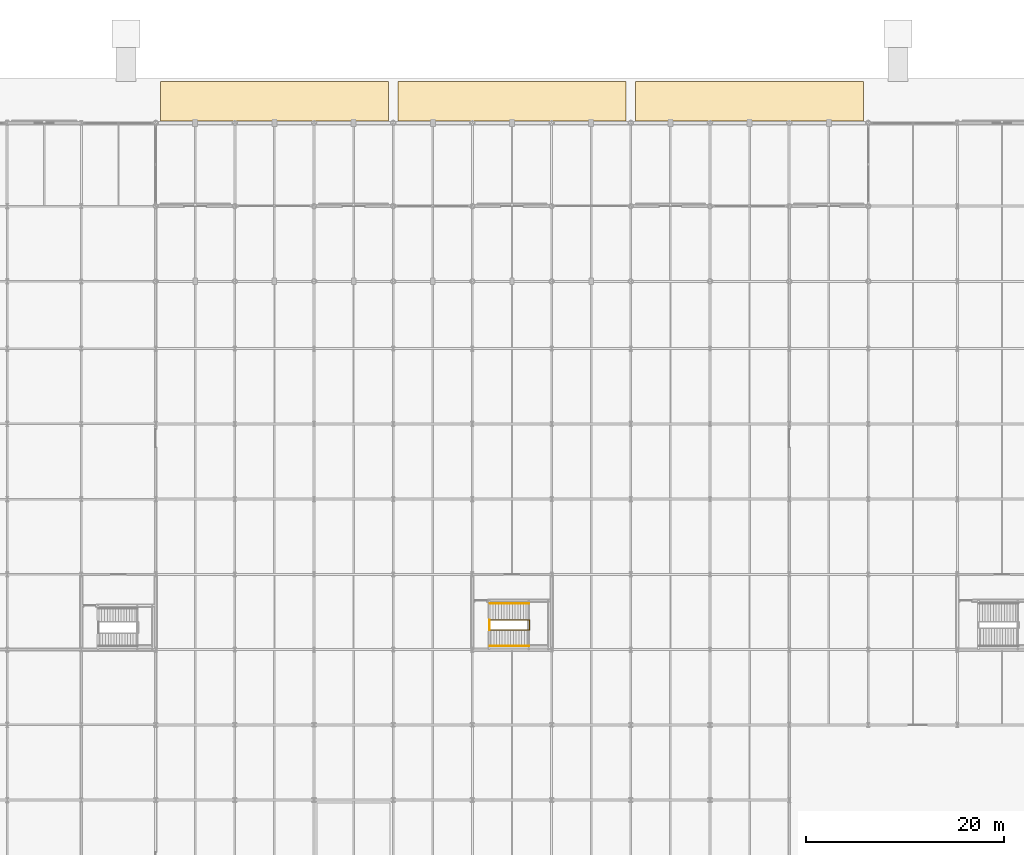
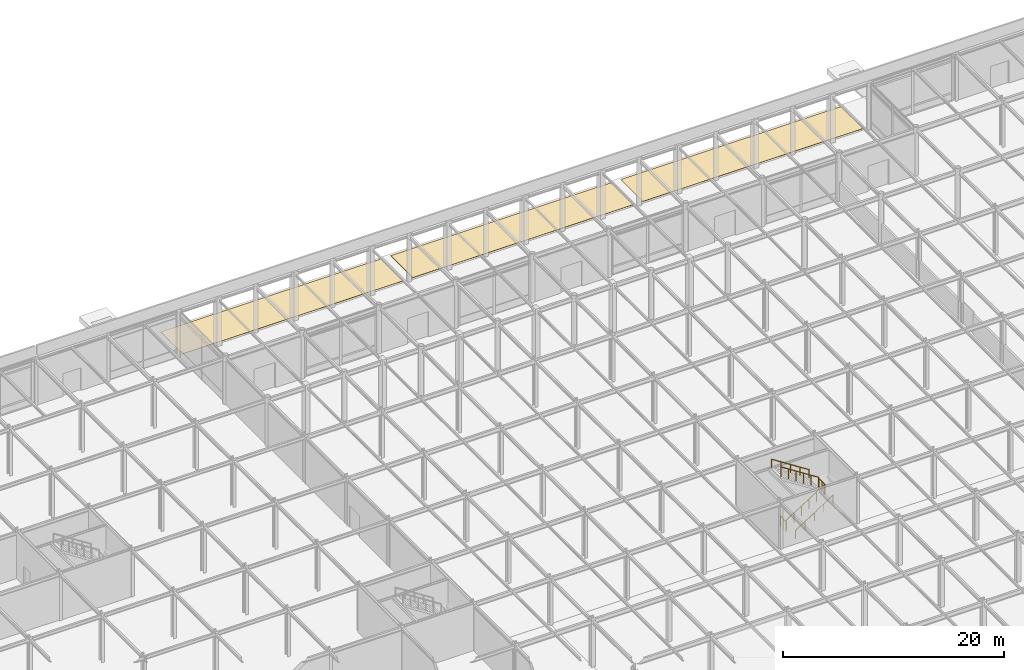
# One storey, part 85 of 89: 4 railings, 3 coverings.
"""IFC4 building model written with IfcOpenShell, lengths in metres."""

from ifc_helpers import new_model, si_unit, direction, frame, origin, origin_2d, place, context, subcontext, project, spatial, polyline, circle, outline, extrude, material, layer, layer_set, type_object, element, save


model = new_model("IFC4")

# Units and contexts
model_context = context("Model", 3, precision=1e-05, world=origin(), true_north=direction((0.0, 1.0)))
body_context = subcontext(model_context, "Body", "Model", "MODEL_VIEW")
ifc_project = project(units=[si_unit("LENGTHUNIT", "METRE"), si_unit("AREAUNIT", "SQUARE_METRE"), si_unit("VOLUMEUNIT", "CUBIC_METRE"), si_unit("PLANEANGLEUNIT", "RADIAN"), si_unit("MASSUNIT", "GRAM", prefix="KILO")], contexts=[model_context])

# Site, building, storey
site_placement = place(None, origin())
site = spatial("IfcSite", under=ifc_project, at=site_placement, CompositionType="ELEMENT")
building_placement = place(site_placement, origin())
building = spatial("IfcBuilding", under=site, at=building_placement, Name="Shalkamar Park Central Library", CompositionType="ELEMENT")
storey_placement = place(building_placement, origin())
storey = spatial("IfcBuildingStorey", under=building, at=storey_placement, Name="L01", CompositionType="ELEMENT", Elevation=0.0)

# Coverings
ifc_material_1 = material(Name="Flamed grey granite paving", Category="masonry")
ifc_layer = layer(ifc_material_1, 0.0400390625)
ifc_layer_set = layer_set([ifc_layer], Name="FlamedGranitePlazaPaving")
covering_type = type_object("IfcCoveringType", Name="Flamed Granite Plaza Paving", PredefinedType="FLOORING", material=ifc_layer_set)
covering_1_placement = place(storey_placement, origin())
element("IfcCovering", 1, at=covering_1_placement, inside=storey, type_object=covering_type, Name="Flamed Granite Plaza Paving PAV-N1", PredefinedType="FLOORING", context=body_context, shape_type="SweptSolid", body=[
    extrude(outline(polyline([(165.5, 354.199951171875), (188.5, 354.199951171875), (188.5, 358.199951171875), (165.5, 358.199951171875), (165.5, 354.199951171875)])), origin(), (0.0, 0.0, 1.0), 0.030029296875),
])
covering_2_placement = place(storey_placement, origin())
element("IfcCovering", 2, at=covering_2_placement, inside=storey, type_object=covering_type, Name="Flamed Granite Plaza Paving PAV-N2", PredefinedType="FLOORING", context=body_context, shape_type="SweptSolid", body=[
    extrude(outline(polyline([(189.5, 354.199951171875), (212.5, 354.199951171875), (212.5, 358.199951171875), (189.5, 358.199951171875), (189.5, 354.199951171875)])), origin(), (0.0, 0.0, 1.0), 0.030029296875),
])
covering_3_placement = place(storey_placement, origin())
element("IfcCovering", 3, at=covering_3_placement, inside=storey, type_object=covering_type, Name="Flamed Granite Plaza Paving PAV-N3", PredefinedType="FLOORING", context=body_context, shape_type="SweptSolid", body=[
    extrude(outline(polyline([(213.5, 354.199951171875), (236.5, 354.199951171875), (236.5, 358.199951171875), (213.5, 358.199951171875), (213.5, 354.199951171875)])), origin(), (0.0, 0.0, 1.0), 0.030029296875),
])

# Railings
ifc_material_2 = material(Name="Steel S355", Category="steel")
railing_type_1 = type_object("IfcRailingType", Name="Stair Guardrail 1100", PredefinedType="GUARDRAIL", material=ifc_material_2)
railing_1_placement = place(storey_placement, frame((198.794921875, 302.764892578125, 0.179931640625)))
element("IfcRailing", 4, at=railing_1_placement, inside=storey, type_object=railing_type_1, Name="Stair Inner Well Guardrail ST-P7-L01", PredefinedType="GUARDRAIL", context=body_context, shape_type="SweptSolid", body=[
    extrude(circle(Radius=0.02392578125, at=origin_2d()), frame((0.0, 0.0, 1.076171875), z_axis=(0.841186985886, 0.0, 0.540744352514), x_axis=(0.0, 1.0, 0.0)), (0.0, 0.0, 1.0), 4.660400390625),
    extrude(circle(Radius=0.02392578125, at=origin_2d()), frame((3.920166015625, 0.0, 3.59619140625), z_axis=(1.0, 0.0, 0.0), x_axis=(0.0, 1.0, 0.0)), (0.0, 0.0, 1.0), 0.059814453125),
    extrude(circle(Radius=0.02392578125, at=origin_2d()), frame((3.97998046875, 0.0, 3.59619140625), z_axis=(0.0, 1.0, 0.0), x_axis=(-1.0, 0.0, 0.0)), (0.0, 0.0, 1.0), 1.02001953125),
    extrude(circle(Radius=0.02392578125, at=origin_2d()), frame((3.97998046875, 1.02001953125, 3.59619140625), z_axis=(-0.31545511802, 0.0, 0.948940497879), x_axis=(0.0, -1.0, 0.0)), (0.0, 0.0, 1.0), 0.189697265625),
    extrude(circle(Radius=0.02392578125, at=origin_2d()), frame((3.920166015625, 1.02001953125, 3.77587890625), z_axis=(-0.841186985886, 0.0, 0.540744352514), x_axis=(0.0, -1.0, 0.0)), (0.0, 0.0, 1.0), 4.660400390625),
    extrude(circle(Radius=0.02099609375, at=origin_2d()), origin(), (0.0, 0.0, 1.0), 1.052001953125),
    extrude(circle(Radius=0.02099609375, at=origin_2d()), frame((0.783935546875, 0.0, 0.50390625)), (0.0, 0.0, 1.0), 1.052001953125),
    extrude(circle(Radius=0.02099609375, at=origin_2d()), frame((1.568115234375, 0.0, 1.008056640625)), (0.0, 0.0, 1.0), 1.052001953125),
    extrude(circle(Radius=0.02099609375, at=origin_2d()), frame((2.35205078125, 0.0, 1.511962890625)), (0.0, 0.0, 1.0), 1.052001953125),
    extrude(circle(Radius=0.02099609375, at=origin_2d()), frame((3.13623046875, 0.0, 2.01611328125)), (0.0, 0.0, 1.0), 1.052001953125),
    extrude(circle(Radius=0.02099609375, at=origin_2d()), frame((3.920166015625, 0.0, 2.52001953125)), (0.0, 0.0, 1.0), 1.052001953125),
    extrude(circle(Radius=0.02099609375, at=origin_2d()), frame((3.97998046875, 0.0, 2.52001953125)), (0.0, 0.0, 1.0), 1.052001953125),
    extrude(circle(Radius=0.02099609375, at=origin_2d()), frame((3.97998046875, 0.510009765625, 2.52001953125)), (0.0, 0.0, 1.0), 1.052001953125),
    extrude(circle(Radius=0.02099609375, at=origin_2d()), frame((3.97998046875, 1.02001953125, 2.52001953125)), (0.0, 0.0, 1.0), 1.052001953125),
    extrude(circle(Radius=0.02099609375, at=origin_2d()), frame((3.920166015625, 1.02001953125, 2.699951171875)), (0.0, 0.0, 1.0), 1.052001953125),
    extrude(circle(Radius=0.02099609375, at=origin_2d()), frame((3.13623046875, 1.02001953125, 3.203857421875)), (0.0, 0.0, 1.0), 1.052001953125),
    extrude(circle(Radius=0.02099609375, at=origin_2d()), frame((2.35205078125, 1.02001953125, 3.7080078125)), (0.0, 0.0, 1.0), 1.052001953125),
    extrude(circle(Radius=0.02099609375, at=origin_2d()), frame((1.568115234375, 1.02001953125, 4.2119140625)), (0.0, 0.0, 1.0), 1.052001953125),
    extrude(circle(Radius=0.02099609375, at=origin_2d()), frame((0.783935546875, 1.02001953125, 4.716064453125)), (0.0, 0.0, 1.0), 1.052001953125),
    extrude(circle(Radius=0.02099609375, at=origin_2d()), frame((0.0, 1.02001953125, 5.219970703125)), (0.0, 0.0, 1.0), 1.052001953125),
])
railing_2_placement = place(storey_placement, frame((198.735107421875, 302.77490234375, 0.0)))
element("IfcRailing", 5, at=railing_2_placement, inside=storey, type_object=railing_type_1, Name="Stair Arrival Well Guardrail ST-P7 (L01)", PredefinedType="GUARDRAIL", context=body_context, shape_type="SweptSolid", body=[
    extrude(circle(Radius=0.02392578125, at=origin_2d()), frame((0.0, 0.0, 1.076171875), z_axis=(0.0, 1.0, 0.0), x_axis=(-1.0, 0.0, 0.0)), (0.0, 0.0, 1.0), 1.0),
    extrude(circle(Radius=0.02099609375, at=origin_2d()), origin(), (0.0, 0.0, 1.0), 1.052001953125),
    extrude(circle(Radius=0.02099609375, at=origin_2d()), frame((0.0, 0.5, 0.0)), (0.0, 0.0, 1.0), 1.052001953125),
    extrude(circle(Radius=0.02099609375, at=origin_2d()), frame((0.0, 1.0, 0.0)), (0.0, 0.0, 1.0), 1.052001953125),
])
railing_type_2 = type_object("IfcRailingType", Name="Stair Pitched Handrail 920", PredefinedType="HANDRAIL", material=ifc_material_2)
railing_3_placement = place(storey_placement, frame((198.794921875, 301.155029296875, 0.179931640625)))
element("IfcRailing", 6, at=railing_3_placement, inside=storey, type_object=railing_type_2, Name="Stair Wall Handrail ST-P7-L01 Flight 1", PredefinedType="HANDRAIL", context=body_context, shape_type="SweptSolid", body=[
    extrude(circle(Radius=0.02392578125, at=origin_2d()), frame((0.0, 0.0, 0.89599609375), z_axis=(0.841186985886, 0.0, 0.540744352514), x_axis=(0.0, 1.0, 0.0)), (0.0, 0.0, 1.0), 4.660400390625),
    extrude(circle(Radius=0.02099609375, at=origin_2d()), origin(), (0.0, 0.0, 1.0), 0.871826171875),
    extrude(circle(Radius=0.02099609375, at=origin_2d()), frame((0.97998046875, 0.0, 0.6298828125)), (0.0, 0.0, 1.0), 0.871826171875),
    extrude(circle(Radius=0.02099609375, at=origin_2d()), frame((1.9599609375, 0.0, 1.260009765625)), (0.0, 0.0, 1.0), 0.871826171875),
    extrude(circle(Radius=0.02099609375, at=origin_2d()), frame((2.940185546875, 0.0, 1.89013671875)), (0.0, 0.0, 1.0), 0.871826171875),
    extrude(circle(Radius=0.02099609375, at=origin_2d()), frame((3.920166015625, 0.0, 2.52001953125)), (0.0, 0.0, 1.0), 0.871826171875),
])
railing_4_placement = place(storey_placement, frame((202.715087890625, 305.47509765625, 2.8798828125)))
element("IfcRailing", 7, at=railing_4_placement, inside=storey, type_object=railing_type_2, Name="Stair Wall Handrail ST-P7-L01 Flight 2", PredefinedType="HANDRAIL", context=body_context, shape_type="SweptSolid", body=[
    extrude(circle(Radius=0.02392578125, at=origin_2d()), frame((0.0, 0.0, 0.89599609375), z_axis=(-0.841186985886, 0.0, 0.540744352514), x_axis=(0.0, -1.0, 0.0)), (0.0, 0.0, 1.0), 4.660400390625),
    extrude(circle(Radius=0.02099609375, at=origin_2d()), origin(), (0.0, 0.0, 1.0), 0.871826171875),
    extrude(circle(Radius=0.02099609375, at=origin_2d()), frame((-0.97998046875, 0.0, 0.6298828125)), (0.0, 0.0, 1.0), 0.871826171875),
    extrude(circle(Radius=0.02099609375, at=origin_2d()), frame((-1.9599609375, 0.0, 1.260009765625)), (0.0, 0.0, 1.0), 0.871826171875),
    extrude(circle(Radius=0.02099609375, at=origin_2d()), frame((-2.940185546875, 0.0, 1.89013671875)), (0.0, 0.0, 1.0), 0.871826171875),
    extrude(circle(Radius=0.02099609375, at=origin_2d()), frame((-3.920166015625, 0.0, 2.52001953125)), (0.0, 0.0, 1.0), 0.871826171875),
])

save(model, "model.ifc")
